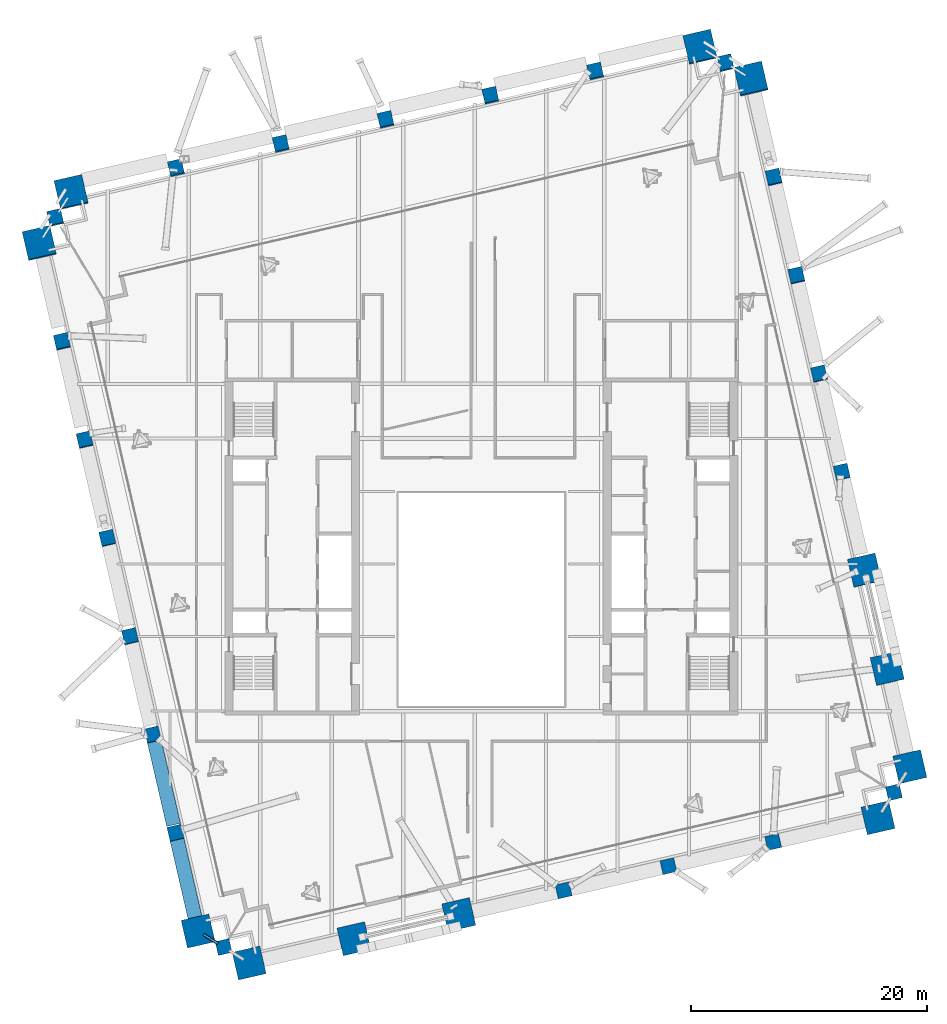
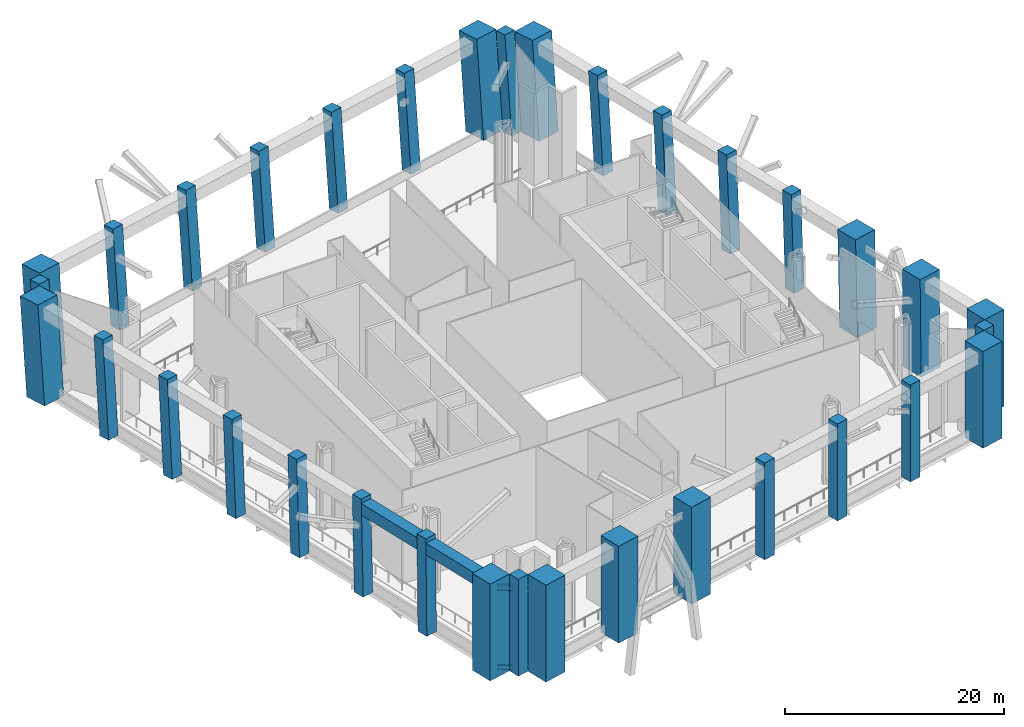
# One storey, part 1 of 25: 34 columns, 4 beams.
"""IFC4 building model written with IfcOpenShell, lengths in metres."""

from ifc_helpers import new_model, si_unit, direction, frame, origin, origin_2d, place, context, subcontext, project, spatial, rectangle, i_section, extrude, material, material_profile, profile_set, type_object, element, save


model = new_model("IFC4")

# Units and contexts
model_context = context("Model", 3, precision=1e-05, world=origin(), true_north=direction((0.0, 1.0)))
body_context = subcontext(model_context, "Body", "Model", "MODEL_VIEW")
ifc_project = project(units=[si_unit("LENGTHUNIT", "METRE"), si_unit("AREAUNIT", "SQUARE_METRE"), si_unit("VOLUMEUNIT", "CUBIC_METRE"), si_unit("PLANEANGLEUNIT", "RADIAN"), si_unit("MASSUNIT", "GRAM", prefix="KILO")], contexts=[model_context])

# Site, building, storey
site_placement = place(None, origin())
site = spatial("IfcSite", under=ifc_project, at=site_placement, CompositionType="ELEMENT")
building_placement = place(site_placement, origin())
building = spatial("IfcBuilding", under=site, at=building_placement, Name="Ogive Exchange Tower", CompositionType="ELEMENT")
storey_placement = place(building_placement, frame((0.0, 0.0, 226.199951171875)))
storey = spatial("IfcBuildingStorey", under=building, at=storey_placement, Name="L50", CompositionType="ELEMENT", Elevation=226.199951171875)

# Columns
ifc_material_1 = material(Name="Precast concrete C70/85 (limestone faced)", Category="masonry")
ifc_material_profile_1 = material_profile(ifc_material_1, rectangle(XDim=1.199951171875, YDim=1.199951171875, at=origin_2d()), Name="1200 x 1200")
ifc_profile_set_1 = profile_set([ifc_material_profile_1], Name="Precast concrete C70/85 (limestone faced)")
column_type_1 = type_object("IfcColumnType", Name="Precast exoskeleton leg 1200 x 1200 C70/85", PredefinedType="COLUMN", material=ifc_profile_set_1)
for number, where, z_axis, x_axis, name in (
    (1, (6.950927734375, -17.60791015625, 0.0), (0.0, 0.0, 1.0), (0.974370064785, 0.224951054344, 0.0), "Exoskeleton leg 4"),
    (2, (15.81787109375, -15.56103515625, 0.0), (0.0, 0.0, 1.0), (0.974370064785, 0.224951054344, 0.0), "Exoskeleton leg 5"),
    (3, (24.6845703125, -13.513916015625, 0.0), (0.0, 0.0, 1.0), (0.974370064785, 0.224951054344, 0.0), "Exoskeleton leg 6"),
):
    element("IfcColumn", number, at=place(storey_placement, frame(where, z_axis=z_axis, x_axis=x_axis)), inside=storey, type_object=column_type_1, Name=name, PredefinedType="COLUMN", context=body_context, shape_type="SweptSolid", body=[
        extrude(rectangle(XDim=1.199951171875, YDim=1.199951171875, at=origin_2d()), origin(), (0.0, 0.0, 1.0), 10.800048828125),
    ])
column_1_placement = place(storey_placement, frame((30.494384765625, 17.777587890625, 0.0), z_axis=(-0.008087532528, 0.03506103487, 0.999352448164), x_axis=(-0.974412354627, -0.224767798297, 0.0)))
element("IfcColumn", 4, at=column_1_placement, inside=storey, type_object=column_type_1, Name="Exoskeleton leg 11", PredefinedType="COLUMN", context=body_context, shape_type="SweptSolid", body=[
    extrude(rectangle(XDim=1.199951171875, YDim=1.199951171875, at=origin_2d()), origin(), (0.0, 0.0, 1.0), 10.80712890625),
])
column_2_placement = place(storey_placement, frame((28.576171875, 26.08642578125, 0.0), z_axis=(-0.010792995157, 0.046739539695, 0.998848800712), x_axis=(-0.974359453067, -0.2249970138, 0.0)))
element("IfcColumn", 5, at=column_2_placement, inside=storey, type_object=column_type_1, Name="Exoskeleton leg 12", PredefinedType="COLUMN", context=body_context, shape_type="SweptSolid", body=[
    extrude(rectangle(XDim=1.199951171875, YDim=1.199951171875, at=origin_2d()), origin(), (0.0, 0.0, 1.0), 10.8125),
])
column_3_placement = place(storey_placement, frame((26.657958984375, 34.395263671875, 0.0), z_axis=(-0.013493792693, 0.058397885433, 0.998202186201), x_axis=(-0.97432770538, -0.225134454334, 0.0)))
element("IfcColumn", 6, at=column_3_placement, inside=storey, type_object=column_type_1, Name="Exoskeleton leg 13", PredefinedType="COLUMN", context=body_context, shape_type="SweptSolid", body=[
    extrude(rectangle(XDim=1.199951171875, YDim=1.199951171875, at=origin_2d()), origin(), (0.0, 0.0, 1.0), 10.819580078125),
])
column_4_placement = place(storey_placement, frame((24.739501953125, 42.704345703125, 0.0), z_axis=(-0.016143743861, 0.069986286236, 0.997417314504), x_axis=(-0.974412354627, -0.224767798297, 0.0)))
element("IfcColumn", 7, at=column_4_placement, inside=storey, type_object=column_type_1, Name="Exoskeleton leg 14", PredefinedType="COLUMN", context=body_context, shape_type="SweptSolid", body=[
    extrude(rectangle(XDim=1.199951171875, YDim=1.199951171875, at=origin_2d()), origin(), (0.0, 0.0, 1.0), 10.828125),
])
for number, where, z_axis, x_axis, name in (
    (8, (9.636962890625, 51.6640625, 0.0), (-0.018831838418, 0.081589615729, 0.996488081448), (-0.97438212689, -0.224898801237, 0.0), "Exoskeleton leg 17"),
    (9, (0.770263671875, 49.616943359375, 0.0), (-0.018831838418, 0.081589615729, 0.996488081448), (-0.97438212689, -0.224898801237, 0.0), "Exoskeleton leg 18"),
    (10, (-8.096435546875, 47.570068359375, 0.0), (-0.018854356537, 0.081589581097, 0.996487658476), (-0.974323145154, -0.225154188982, 0.0), "Exoskeleton leg 19"),
    (11, (-16.96337890625, 45.52294921875, 0.0), (-0.018831838418, 0.081589615729, 0.996488081448), (-0.97438212689, -0.224898801237, 0.0), "Exoskeleton leg 20"),
    (12, (-25.830078125, 43.475830078125, 0.0), (-0.018831838418, 0.081589615729, 0.996488081448), (-0.97438212689, -0.224898801237, 0.0), "Exoskeleton leg 21"),
):
    element("IfcColumn", number, at=place(storey_placement, frame(where, z_axis=z_axis, x_axis=x_axis)), inside=storey, type_object=column_type_1, Name=name, PredefinedType="COLUMN", context=body_context, shape_type="SweptSolid", body=[
        extrude(rectangle(XDim=1.199951171875, YDim=1.199951171875, at=origin_2d()), origin(), (0.0, 0.0, 1.0), 10.838134765625),
    ])
column_5_placement = place(storey_placement, frame((-35.4765625, 28.80224609375, 0.0), z_axis=(-0.016166259587, 0.070008697373, 0.997415377034), x_axis=(-0.974359453067, -0.2249970138, 0.0)))
element("IfcColumn", 13, at=column_5_placement, inside=storey, type_object=column_type_1, Name="Exoskeleton leg 24", PredefinedType="COLUMN", context=body_context, shape_type="SweptSolid", body=[
    extrude(rectangle(XDim=1.199951171875, YDim=1.199951171875, at=origin_2d()), origin(), (0.0, 0.0, 1.0), 10.828125),
])
column_6_placement = place(storey_placement, frame((-33.55810546875, 20.493408203125, 0.0), z_axis=(-0.013493810471, 0.058375397471, 0.998203501321), x_axis=(-0.97430861284, -0.225217066285, 0.0)))
element("IfcColumn", 14, at=column_6_placement, inside=storey, type_object=column_type_1, Name="Exoskeleton leg 25", PredefinedType="COLUMN", context=body_context, shape_type="SweptSolid", body=[
    extrude(rectangle(XDim=1.199951171875, YDim=1.199951171875, at=origin_2d()), origin(), (0.0, 0.0, 1.0), 10.819580078125),
])
column_7_placement = place(storey_placement, frame((-31.639892578125, 12.184326171875, 0.0), z_axis=(-0.010792995157, 0.046739539695, 0.998848800712), x_axis=(-0.974359453067, -0.2249970138, 0.0)))
element("IfcColumn", 15, at=column_7_placement, inside=storey, type_object=column_type_1, Name="Exoskeleton leg 26", PredefinedType="COLUMN", context=body_context, shape_type="SweptSolid", body=[
    extrude(rectangle(XDim=1.199951171875, YDim=1.199951171875, at=origin_2d()), origin(), (0.0, 0.0, 1.0), 10.8125),
])
column_8_placement = place(storey_placement, frame((-29.7216796875, 3.87548828125, 0.0), z_axis=(-0.008087532528, 0.03506103487, 0.999352448164), x_axis=(-0.974412354627, -0.224767798297, 0.0)))
element("IfcColumn", 16, at=column_8_placement, inside=storey, type_object=column_type_1, Name="Exoskeleton leg 27", PredefinedType="COLUMN", context=body_context, shape_type="SweptSolid", body=[
    extrude(rectangle(XDim=1.199951171875, YDim=1.199951171875, at=origin_2d()), origin(), (0.0, 0.0, 1.0), 10.80712890625),
])
column_9_placement = place(storey_placement, frame((-27.803466796875, -4.433349609375, 0.0), z_axis=(-0.005401163119, 0.023367375168, 0.999712355238), x_axis=(-0.974311729794, -0.225203581645, 0.0)))
element("IfcColumn", 17, at=column_9_placement, inside=storey, type_object=column_type_1, Name="Exoskeleton leg 28", PredefinedType="COLUMN", context=body_context, shape_type="SweptSolid", body=[
    extrude(rectangle(XDim=1.199951171875, YDim=1.199951171875, at=origin_2d()), origin(), (0.0, 0.0, 1.0), 10.80322265625),
])
column_10_placement = place(storey_placement, frame((-25.885009765625, -12.742431640625, 0.0), z_axis=(-0.002712465413, 0.011708809032, 0.999927770553), x_axis=(-0.97420066441, -0.225683551601, 0.0)))
element("IfcColumn", 18, at=column_10_placement, inside=storey, type_object=column_type_1, Name="Exoskeleton leg 29", PredefinedType="COLUMN", context=body_context, shape_type="SweptSolid", body=[
    extrude(rectangle(XDim=1.199951171875, YDim=1.199951171875, at=origin_2d()), origin(), (0.0, 0.0, 1.0), 10.80078125),
])
column_11_placement = place(storey_placement, frame((34.900146484375, -9.30810546875, 0.0), z_axis=(0.0, 0.0, 1.0), x_axis=(0.974370064785, 0.224951054344, 0.0)))
element("IfcColumn", 19, at=column_11_placement, inside=storey, type_object=column_type_1, Name="Exoskeleton leg 31", PredefinedType="COLUMN", context=body_context, shape_type="SweptSolid", body=[
    extrude(rectangle(XDim=1.199951171875, YDim=1.199951171875, at=origin_2d()), origin(), (0.0, 0.0, 1.0), 10.800048828125),
])
for number, where, z_axis, x_axis, name in (
    (20, (20.66259765625, 52.3623046875, 0.0), (-0.018831838418, 0.081589615729, 0.996488081448), (-0.97438212689, -0.224898801237, 0.0), "Exoskeleton leg 32"),
    (21, (-36.0458984375, 39.27001953125, 0.0), (-0.018831838418, 0.081589615729, 0.996488081448), (-0.97438212689, -0.224898801237, 0.0), "Exoskeleton leg 33"),
):
    element("IfcColumn", number, at=place(storey_placement, frame(where, z_axis=z_axis, x_axis=x_axis)), inside=storey, type_object=column_type_1, Name=name, PredefinedType="COLUMN", context=body_context, shape_type="SweptSolid", body=[
        extrude(rectangle(XDim=1.199951171875, YDim=1.199951171875, at=origin_2d()), origin(), (0.0, 0.0, 1.0), 10.838134765625),
    ])
column_12_placement = place(storey_placement, frame((-21.80810546875, -22.400146484375, 0.0), z_axis=(0.0, 0.0, 1.0), x_axis=(0.974370064785, 0.224951054344, 0.0)))
element("IfcColumn", 22, at=column_12_placement, inside=storey, type_object=column_type_1, Name="Exoskeleton leg 34", PredefinedType="COLUMN", context=body_context, shape_type="SweptSolid", body=[
    extrude(rectangle(XDim=1.199951171875, YDim=1.199951171875, at=origin_2d()), origin(), (0.0, 0.0, 1.0), 10.800048828125),
])
ifc_material_profile_2 = material_profile(ifc_material_1, rectangle(XDim=2.39990234375, YDim=2.39990234375, at=origin_2d()), Name="2400 x 2400")
ifc_profile_set_2 = profile_set([ifc_material_profile_2], Name="Precast concrete C70/85 (limestone faced)")
column_type_2 = type_object("IfcColumnType", Name="Precast portal post 2400 x 2400 C70/85", PredefinedType="COLUMN", material=ifc_profile_set_2)
for number, where, z_axis, x_axis, name in (
    (23, (-19.6494140625, -23.749267578125, 0.0), (0.0, 0.0, 1.0), (0.974370064785, 0.224951054344, 0.0), "Portal post 1"),
    (24, (-10.782470703125, -21.7021484375, 0.0), (0.0, 0.0, 1.0), (0.974370064785, 0.224951054344, 0.0), "Portal post 2"),
    (25, (-1.915771484375, -19.655029296875, 0.0), (0.0, 0.0, 1.0), (0.974370064785, 0.224951054344, 0.0), "Portal post 3"),
    (26, (33.55126953125, -11.466796875, 0.0), (0.0, 0.0, 1.0), (0.974370064785, 0.224951054344, 0.0), "Portal post 7"),
    (27, (36.249267578125, -7.1494140625, 0.0), (0.0, 0.0, 1.0), (0.974370064785, 0.224951054344, 0.0), "Portal post 8"),
):
    element("IfcColumn", number, at=place(storey_placement, frame(where, z_axis=z_axis, x_axis=x_axis)), inside=storey, type_object=column_type_2, Name=name, PredefinedType="COLUMN", context=body_context, shape_type="SweptSolid", body=[
        extrude(rectangle(XDim=2.39990234375, YDim=2.39990234375, at=origin_2d()), origin(), (0.0, 0.0, 1.0), 10.800048828125),
    ])
column_13_placement = place(storey_placement, frame((34.330810546875, 1.15966796875, 0.0), z_axis=(-0.00268986241, 0.011686208957, 0.999928095995), x_axis=(-0.974518115243, -0.224308811826, 0.0)))
element("IfcColumn", 28, at=column_13_placement, inside=storey, type_object=column_type_2, Name="Portal post 9", PredefinedType="COLUMN", context=body_context, shape_type="SweptSolid", body=[
    extrude(rectangle(XDim=2.39990234375, YDim=2.39990234375, at=origin_2d()), origin(), (0.0, 0.0, 1.0), 10.80078125),
])
column_14_placement = place(storey_placement, frame((32.41259765625, 9.468505859375, 0.0), z_axis=(-0.005401160266, 0.023389961819, 0.999711827055), x_axis=(-0.974359453067, -0.2249970138, 0.0)))
element("IfcColumn", 29, at=column_14_placement, inside=storey, type_object=column_type_2, Name="Portal post 10", PredefinedType="COLUMN", context=body_context, shape_type="SweptSolid", body=[
    extrude(rectangle(XDim=2.39990234375, YDim=2.39990234375, at=origin_2d()), origin(), (0.0, 0.0, 1.0), 10.80322265625),
])
for number, where, z_axis, x_axis, name in (
    (30, (22.8212890625, 51.01318359375, 0.0), (-0.018831838418, 0.081589615729, 0.996488081448), (-0.97438212689, -0.224898801237, 0.0), "Portal post 15"),
    (31, (18.50390625, 53.711181640625, 0.0), (-0.018854356537, 0.081589581097, 0.996487658476), (-0.974323145154, -0.225154188982, 0.0), "Portal post 16"),
    (32, (-34.69677734375, 41.4287109375, 0.0), (-0.018831838418, 0.081589615729, 0.996488081448), (-0.97438212689, -0.224898801237, 0.0), "Portal post 22"),
    (33, (-37.394775390625, 37.111083984375, 0.0), (-0.018831803802, 0.081611991836, 0.996486249757), (-0.974395728315, -0.224839864441, 0.0), "Portal post 23"),
):
    element("IfcColumn", number, at=place(storey_placement, frame(where, z_axis=z_axis, x_axis=x_axis)), inside=storey, type_object=column_type_2, Name=name, PredefinedType="COLUMN", context=body_context, shape_type="SweptSolid", body=[
        extrude(rectangle(XDim=2.39990234375, YDim=2.39990234375, at=origin_2d()), origin(), (0.0, 0.0, 1.0), 10.838134765625),
    ])
column_15_placement = place(storey_placement, frame((-23.966796875, -21.05126953125, 0.0), z_axis=(0.0, 0.0, 1.0), x_axis=(0.974370064785, 0.224951054344, 0.0)))
element("IfcColumn", 34, at=column_15_placement, inside=storey, type_object=column_type_2, Name="Portal post 30", PredefinedType="COLUMN", context=body_context, shape_type="SweptSolid", body=[
    extrude(rectangle(XDim=2.39990234375, YDim=2.39990234375, at=origin_2d()), origin(), (0.0, 0.0, 1.0), 10.800048828125),
])

# Beams
ifc_material_2 = material(Name="Steel ASTM A992 Gr50", Category="steel")
ifc_material_profile_3 = material_profile(ifc_material_2, i_section(OverallWidth=0.1669921875, OverallDepth=0.535888671875, WebThickness=0.01025390625, FlangeThickness=0.0166015625, at=origin_2d()), Name="W530x85")
ifc_profile_set_3 = profile_set([ifc_material_profile_3], Name="Steel ASTM A992 Gr50")
beam_type_1 = type_object("IfcBeamType", Name="Belt truss bottom chord W530x85", PredefinedType="BEAM", material=ifc_profile_set_3)
beam_1_placement = place(storey_placement, frame((-23.501708984375, -21.342041015625, 0.400146484375), z_axis=(0.848074041941, -0.529877740036, 0.0), x_axis=(0.529877740036, 0.848074041941, 0.0)))
element("IfcBeam", 35, at=beam_1_placement, inside=storey, type_object=beam_type_1, Name="Belt truss bottom chord 33", PredefinedType="BEAM", context=body_context, shape_type="SweptSolid", body=[
    extrude(i_section(OverallWidth=0.1669921875, OverallDepth=0.535888671875, WebThickness=0.01025390625, FlangeThickness=0.0166015625, at=origin_2d()), origin(), (0.0, 0.0, 1.0), 1.448486328125),
])
ifc_material_profile_4 = material_profile(ifc_material_2, i_section(OverallWidth=0.25390625, OverallDepth=0.677978515625, WebThickness=0.01171875, FlangeThickness=0.016357421875, at=origin_2d()), Name="W690x125")
ifc_profile_set_4 = profile_set([ifc_material_profile_4], Name="Steel ASTM A992 Gr50")
beam_type_2 = type_object("IfcBeamType", Name="Belt truss top chord W690x125", PredefinedType="BEAM", material=ifc_profile_set_4)
beam_2_placement = place(storey_placement, frame((-23.501708984375, -21.342041015625, 9.31103515625), z_axis=(0.848074041941, -0.529877740036, 0.0), x_axis=(0.529877740036, 0.848074041941, 0.0)))
element("IfcBeam", 36, at=beam_2_placement, inside=storey, type_object=beam_type_2, Name="Belt truss top chord 33", PredefinedType="BEAM", context=body_context, shape_type="SweptSolid", body=[
    extrude(i_section(OverallWidth=0.25390625, OverallDepth=0.677978515625, WebThickness=0.01171875, FlangeThickness=0.016357421875, at=origin_2d()), origin(), (0.0, 0.0, 1.0), 1.448486328125),
])
ifc_material_profile_5 = material_profile(ifc_material_1, rectangle(XDim=1.199951171875, YDim=1.300048828125, at=origin_2d()), Name="1200 x 1300")
ifc_profile_set_5 = profile_set([ifc_material_profile_5], Name="Precast concrete C70/85 (limestone faced)")
beam_type_3 = type_object("IfcBeamType", Name="Precast portal header beam 1200 x 1300 C70/85", PredefinedType="BEAM", material=ifc_profile_set_5)
beam_3_placement = place(storey_placement, frame((-27.725341796875, -4.771484375, 9.699951171875), z_axis=(0.224957186508, -0.974368649043, 0.0), x_axis=(0.974368649043, 0.224957186508, 0.0)))
element("IfcBeam", 37, at=beam_3_placement, inside=storey, type_object=beam_type_3, Name="Slot header beam 31", PredefinedType="BEAM", context=body_context, shape_type="SweptSolid", body=[
    extrude(rectangle(XDim=1.199951171875, YDim=1.300048828125, at=origin_2d()), origin(), (0.0, 0.0, 1.0), 7.484130859375),
])
beam_4_placement = place(storey_placement, frame((-25.781005859375, -13.194091796875, 9.699951171875), z_axis=(0.224955341168, -0.974369075084, 0.0), x_axis=(0.974369075084, 0.224955341168, 0.0)))
element("IfcBeam", 38, at=beam_4_placement, inside=storey, type_object=beam_type_3, Name="Slot header beam 32", PredefinedType="BEAM", context=body_context, shape_type="SweptSolid", body=[
    extrude(rectangle(XDim=1.199951171875, YDim=1.300048828125, at=origin_2d()), origin(), (0.0, 0.0, 1.0), 6.884033203125),
])

save(model, "model.ifc")
